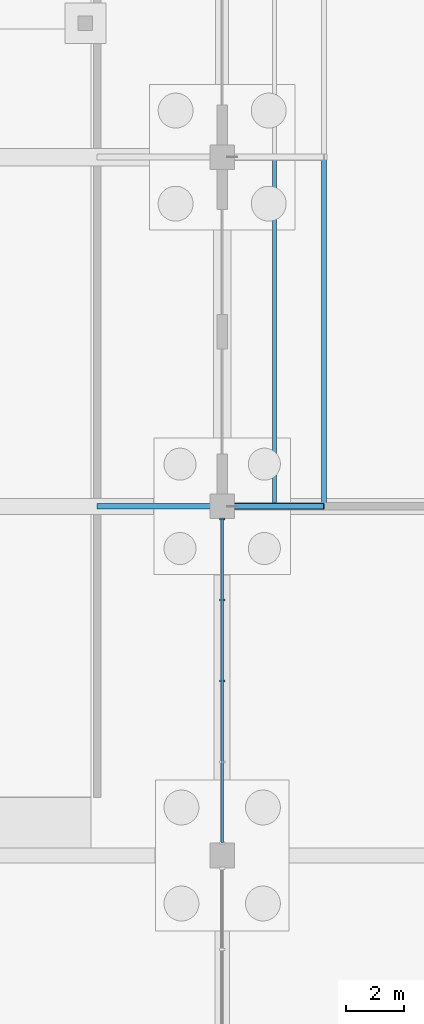
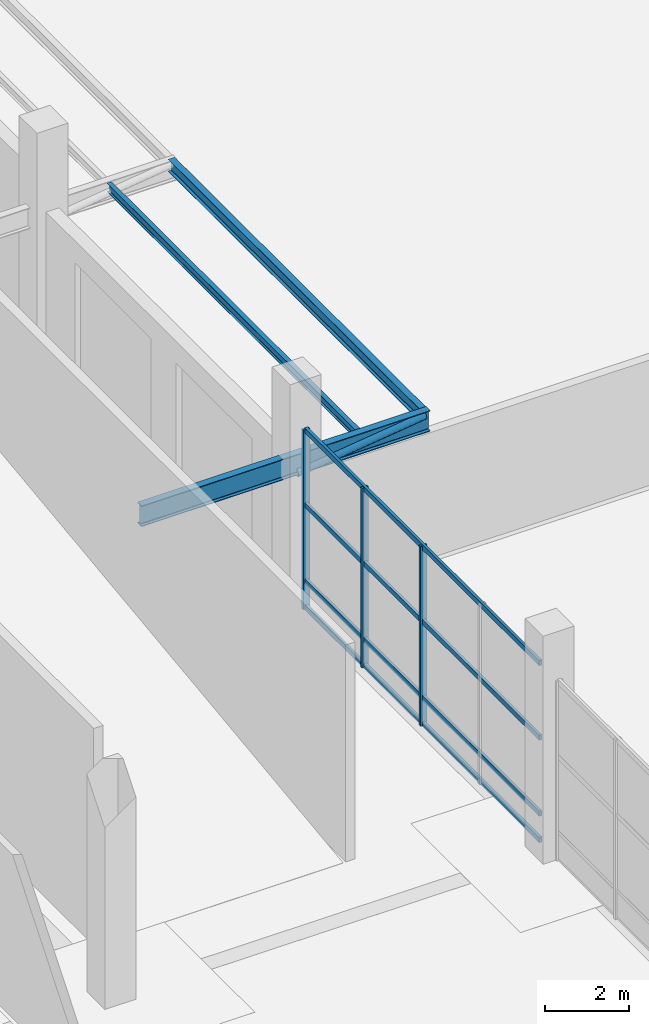
# One storey, part 45 of 117: 9 members, 2 beams, 1 element without a shape of its own.
"""IFC4 building model written with IfcOpenShell, lengths in metres."""

from ifc_helpers import new_model, si_unit, direction, frame, origin, origin_2d, place, context, subcontext, project, spatial, rectangle, hollow_circle, i_section, extrude, material, material_profile, profile_set, type_object, element, aggregate, save


model = new_model("IFC4")

# Units and contexts
model_context = context("Model", 3, precision=1e-05, world=origin(), true_north=direction((0.0, 1.0)))
body_context = subcontext(model_context, "Body", "Model", "MODEL_VIEW")
ifc_project = project(units=[si_unit("LENGTHUNIT", "METRE"), si_unit("AREAUNIT", "SQUARE_METRE"), si_unit("VOLUMEUNIT", "CUBIC_METRE"), si_unit("PLANEANGLEUNIT", "RADIAN"), si_unit("MASSUNIT", "GRAM", prefix="KILO")], contexts=[model_context])

# Site, building, storey
site_placement = place(None, origin())
site = spatial("IfcSite", under=ifc_project, at=site_placement, CompositionType="ELEMENT")
building_placement = place(site_placement, origin())
building = spatial("IfcBuilding", under=site, at=building_placement, Name="Kamomehara Wholesale Market", CompositionType="ELEMENT")
storey_placement = place(building_placement, origin())
storey = spatial("IfcBuildingStorey", under=building, at=storey_placement, Name="L00", CompositionType="ELEMENT", Elevation=0.0)

# Beams
ifc_material_1 = material(Name="Steel SN400B", Category="steel")
ifc_material_profile_1 = material_profile(ifc_material_1, i_section(OverallWidth=0.175048828125, OverallDepth=0.35009765625, WebThickness=0.007080078125, FlangeThickness=0.010986328125, FilletRadius=0.012939453125, at=origin_2d()), Name="H-350x175x7x11")
ifc_profile_set_1 = profile_set([ifc_material_profile_1], Name="Steel SN400B")
beam_type_1 = type_object("IfcBeamType", Name="BM-ST-H350-EXT", PredefinedType="JOIST", material=ifc_profile_set_1)
beam_1_placement = place(storey_placement, frame((39.5, 60.0, 4.074951171875), z_axis=(0.0, 1.0, 0.0), x_axis=(-1.0, 0.0, 0.0)))
element("IfcBeam", 1, at=beam_1_placement, inside=storey, type_object=beam_type_1, Name="Beam SJ-04E L00", PredefinedType="JOIST", context=body_context, shape_type="SweptSolid", body=[
    extrude(i_section(OverallWidth=0.175048828125, OverallDepth=0.35009765625, WebThickness=0.007080078125, FlangeThickness=0.010986328125, FilletRadius=0.012939453125, at=origin_2d()), origin(), (0.0, 0.0, 1.0), 12.0),
])
ifc_material_2 = material(Name="Steel SN490B", Category="steel")
ifc_material_profile_2 = material_profile(ifc_material_2, i_section(OverallWidth=0.199951171875, OverallDepth=0.60009765625, WebThickness=0.010986328125, FlangeThickness=0.01708984375, FilletRadius=0.012939453125, at=origin_2d()), Name="H-600x200x11x17")
ifc_profile_set_2 = profile_set([ifc_material_profile_2], Name="Steel SN490B")
beam_type_2 = type_object("IfcBeamType", Name="BM-ST-H600-EXT", PredefinedType="BEAM", material=ifc_profile_set_2)
beam_2_placement = place(storey_placement, frame((31.699951171875, 60.0, 3.949951171875), z_axis=(1.0, 0.0, 0.0), x_axis=(0.0, 1.0, 0.0)))
element("IfcBeam", 2, at=beam_2_placement, inside=storey, type_object=beam_type_2, Name="Beam SG-05E L00", PredefinedType="BEAM", context=body_context, shape_type="SweptSolid", body=[
    extrude(i_section(OverallWidth=0.199951171875, OverallDepth=0.60009765625, WebThickness=0.010986328125, FlangeThickness=0.01708984375, FilletRadius=0.012939453125, at=origin_2d()), origin(), (0.0, 0.0, 1.0), 7.900146484375),
])

# Curtain wall, members
ifc_material_3 = material(Name="Anodised aluminium 6063-T5", Category="aluminium")
curtain_wall_type = type_object("IfcCurtainWallType", Name="CW-UN-04", PredefinedType="NOTDEFINED", material=ifc_material_3)
curtain_wall_placement = place(storey_placement, origin())
curtain_wall = element("IfcCurtainWall", 3, at=curtain_wall_placement, inside=storey, type_object=curtain_wall_type, Name="Unitised curtain wall CW-120", PredefinedType="NOTDEFINED")
ifc_material_4 = material(Name="Anodised aluminium 6063-T5", Category="aluminium")
ifc_material_profile_3 = material_profile(ifc_material_4, rectangle(XDim=0.074951171875, YDim=0.179931640625, at=origin_2d()), Name="ALU-MUL-75x180")
ifc_profile_set_3 = profile_set([ifc_material_profile_3], Name="Anodised aluminium 6063-T5")
member_type_1 = type_object("IfcMemberType", Name="CW-MUL-180", PredefinedType="MULLION", material=ifc_profile_set_3)
member_1_placement = place(storey_placement, frame((36.0, 54.0, 0.0), z_axis=(0.0, 0.0, 1.0), x_axis=(0.0, 1.0, 0.0)))
member_1 = element("IfcMember", 4, at=member_1_placement, type_object=member_type_1, Name="Mullion CW-120.2", PredefinedType="MULLION", context=body_context, shape_type="SweptSolid", body=[
    extrude(rectangle(XDim=0.074951171875, YDim=0.179931640625, at=origin_2d()), origin(), (0.0, 0.0, 1.0), 5.199951171875),
])
member_2_placement = place(storey_placement, frame((36.0, 56.781982421875, 0.0), z_axis=(0.0, 0.0, 1.0), x_axis=(0.0, 1.0, 0.0)))
member_2 = element("IfcMember", 5, at=member_2_placement, type_object=member_type_1, Name="Mullion CW-120.3", PredefinedType="MULLION", context=body_context, shape_type="SweptSolid", body=[
    extrude(rectangle(XDim=0.074951171875, YDim=0.179931640625, at=origin_2d()), origin(), (0.0, 0.0, 1.0), 5.199951171875),
])
member_3_placement = place(storey_placement, frame((36.0, 59.56494140625, 0.0), z_axis=(0.0, 0.0, 1.0), x_axis=(0.0, 1.0, 0.0)))
member_3 = element("IfcMember", 6, at=member_3_placement, type_object=member_type_1, Name="Mullion CW-120.4", PredefinedType="MULLION", context=body_context, shape_type="SweptSolid", body=[
    extrude(rectangle(XDim=0.074951171875, YDim=0.179931640625, at=origin_2d()), origin(), (0.0, 0.0, 1.0), 5.199951171875),
])
ifc_material_5 = material(Name="Anodised aluminium 6063-T5", Category="aluminium")
ifc_material_profile_4 = material_profile(ifc_material_5, rectangle(XDim=0.074951171875, YDim=0.14990234375, at=origin_2d()), Name="ALU-TRN-75x150")
ifc_profile_set_4 = profile_set([ifc_material_profile_4], Name="Anodised aluminium 6063-T5")
member_type_2 = type_object("IfcMemberType", Name="CW-TRN-150", PredefinedType="USERDEFINED", material=ifc_profile_set_4)
member_4_placement = place(storey_placement, frame((36.0, 48.43505859375, 0.0400390625), z_axis=(0.0, 1.0, 0.0), x_axis=(-1.0, 0.0, 0.0)))
member_4 = element("IfcMember", 7, at=member_4_placement, type_object=member_type_2, Name="Transom CW-120.0", ObjectType="TRANSOM", PredefinedType="USERDEFINED", context=body_context, shape_type="SweptSolid", body=[
    extrude(rectangle(XDim=0.074951171875, YDim=0.14990234375, at=origin_2d()), origin(), (0.0, 0.0, 1.0), 11.1298828125),
])
member_5_placement = place(storey_placement, frame((36.0, 48.43505859375, 0.800048828125), z_axis=(0.0, 1.0, 0.0), x_axis=(-1.0, 0.0, 0.0)))
member_5 = element("IfcMember", 8, at=member_5_placement, type_object=member_type_2, Name="Transom CW-120.1", ObjectType="TRANSOM", PredefinedType="USERDEFINED", context=body_context, shape_type="SweptSolid", body=[
    extrude(rectangle(XDim=0.074951171875, YDim=0.14990234375, at=origin_2d()), origin(), (0.0, 0.0, 1.0), 11.1298828125),
])
member_6_placement = place(storey_placement, frame((36.0, 48.43505859375, 3.0), z_axis=(0.0, 1.0, 0.0), x_axis=(-1.0, 0.0, 0.0)))
member_6 = element("IfcMember", 9, at=member_6_placement, type_object=member_type_2, Name="Transom CW-120.2", ObjectType="TRANSOM", PredefinedType="USERDEFINED", context=body_context, shape_type="SweptSolid", body=[
    extrude(rectangle(XDim=0.074951171875, YDim=0.14990234375, at=origin_2d()), origin(), (0.0, 0.0, 1.0), 11.1298828125),
])
member_7_placement = place(storey_placement, frame((36.0, 48.43505859375, 5.159912109375), z_axis=(0.0, 1.0, 0.0), x_axis=(-1.0, 0.0, 0.0)))
member_7 = element("IfcMember", 10, at=member_7_placement, type_object=member_type_2, Name="Transom CW-120.3", ObjectType="TRANSOM", PredefinedType="USERDEFINED", context=body_context, shape_type="SweptSolid", body=[
    extrude(rectangle(XDim=0.074951171875, YDim=0.14990234375, at=origin_2d()), origin(), (0.0, 0.0, 1.0), 11.1298828125),
])
aggregate(curtain_wall, [member_1, member_2, member_3, member_4, member_5, member_6, member_7])

# Members
ifc_material_6 = material(Name="Steel SN490B", Category="steel")
ifc_material_profile_5 = material_profile(ifc_material_6, hollow_circle(Radius=0.108154296875, WallThickness=0.00830078125, at=origin_2d()), Name="CHS-216.3x8.2")
ifc_profile_set_5 = profile_set([ifc_material_profile_5], Name="Steel SN490B")
member_type_3 = type_object("IfcMemberType", Name="MEM-BR-CHS216", PredefinedType="BRACE", material=ifc_profile_set_5)
member_8_placement = place(storey_placement, frame((36.0, 60.0, 3.64990234375), z_axis=(0.991828773415, 0.0, 0.127576189884), x_axis=(0.0, 1.0, 0.0)))
element("IfcMember", 11, at=member_8_placement, inside=storey, type_object=member_type_3, Name="Dock canopy uplift brace V3 60", PredefinedType="BRACE", context=body_context, shape_type="SweptSolid", body=[
    extrude(hollow_circle(Radius=0.108154296875, WallThickness=0.00830078125, at=origin_2d()), origin(), (0.0, 0.0, 1.0), 3.52880859375),
])
ifc_material_7 = material(Name="Steel SN400B", Category="steel")
ifc_material_profile_6 = material_profile(ifc_material_7, i_section(OverallWidth=0.125, OverallDepth=0.25, WebThickness=0.006103515625, FlangeThickness=0.009033203125, FilletRadius=0.008056640625, at=origin_2d()), Name="H-250x125x6x9")
ifc_profile_set_6 = profile_set([ifc_material_profile_6], Name="Steel SN400B")
member_type_4 = type_object("IfcMemberType", Name="MEM-PR-H250", PredefinedType="PURLIN", material=ifc_profile_set_6)
member_9_placement = place(storey_placement, frame((37.800048828125, 60.0, 4.02001953125), z_axis=(0.0, 1.0, 0.0), x_axis=(-1.0, 0.0, 0.0)))
element("IfcMember", 12, at=member_9_placement, inside=storey, type_object=member_type_4, Name="Canopy purlin V3 60", PredefinedType="PURLIN", context=body_context, shape_type="SweptSolid", body=[
    extrude(i_section(OverallWidth=0.125, OverallDepth=0.25, WebThickness=0.006103515625, FlangeThickness=0.009033203125, FilletRadius=0.008056640625, at=origin_2d()), origin(), (0.0, 0.0, 1.0), 12.0),
])

save(model, "model.ifc")
